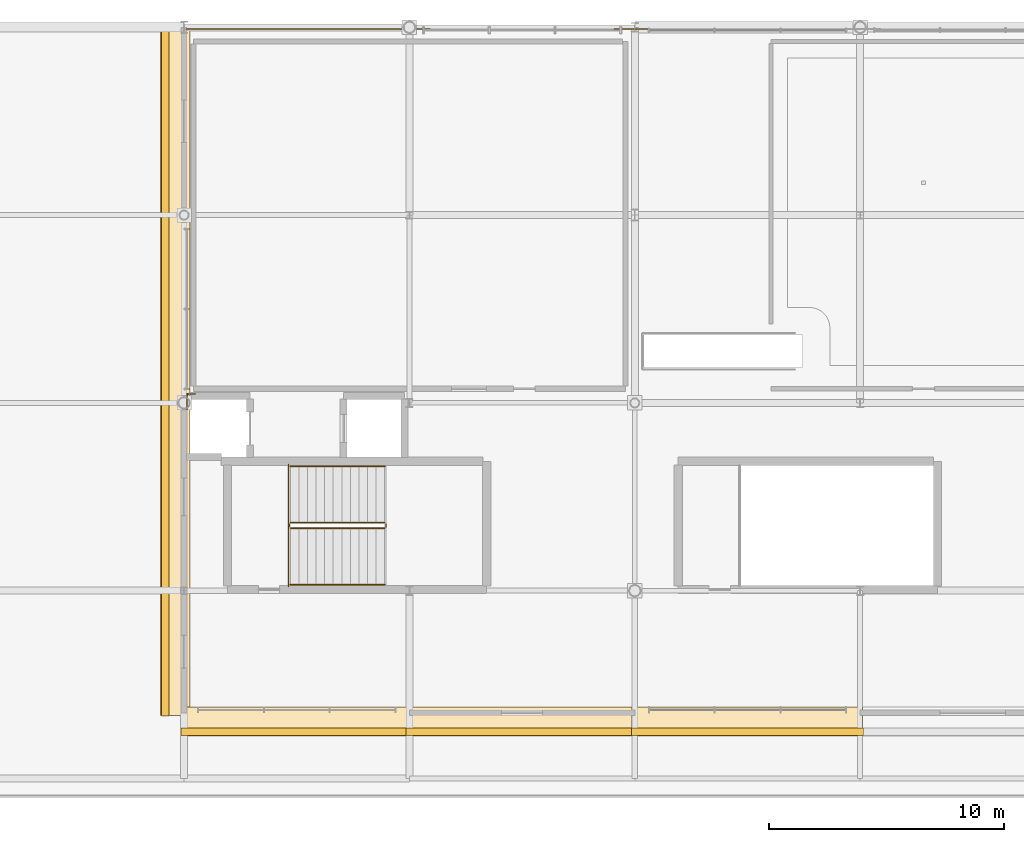
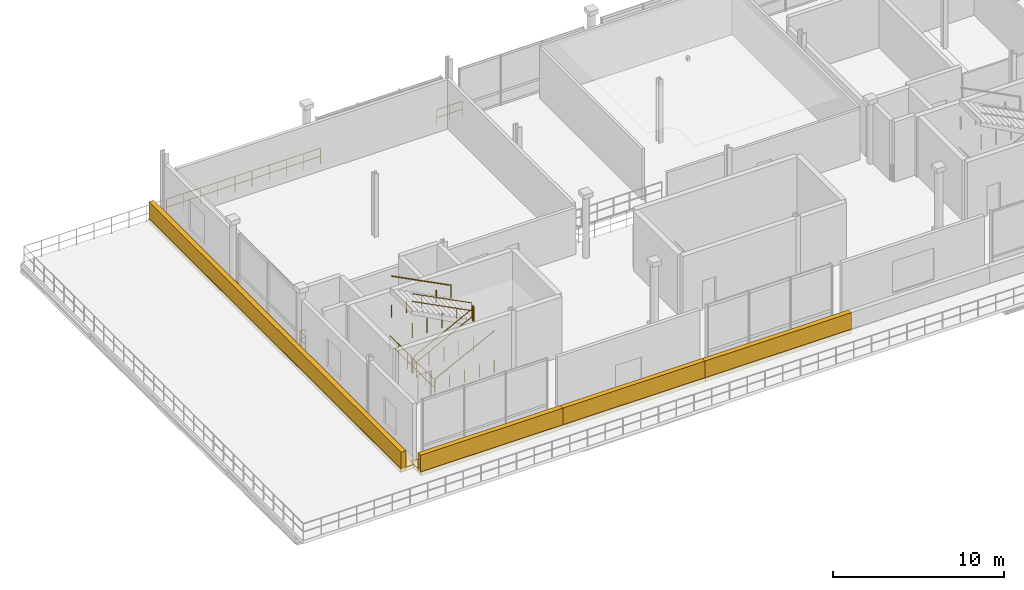
# One storey, part 21 of 26: 10 railings, 8 coverings.
"""IFC4 building model written with IfcOpenShell, lengths in metres."""

from ifc_helpers import new_model, si_unit, direction, frame, origin, origin_2d, place, context, subcontext, project, spatial, rectangle, circle, extrude, material, layer, layer_set, type_object, element, save


model = new_model("IFC4")

# Units and contexts
model_context = context("Model", 3, precision=1e-05, world=origin(), true_north=direction((0.0, 1.0)))
body_context = subcontext(model_context, "Body", "Model", "MODEL_VIEW")
ifc_project = project(units=[si_unit("LENGTHUNIT", "METRE"), si_unit("AREAUNIT", "SQUARE_METRE"), si_unit("VOLUMEUNIT", "CUBIC_METRE"), si_unit("PLANEANGLEUNIT", "RADIAN"), si_unit("MASSUNIT", "GRAM", prefix="KILO")], contexts=[model_context])

# Site, building, storey
site_placement = place(None, origin())
site = spatial("IfcSite", under=ifc_project, at=site_placement, CompositionType="ELEMENT")
building_placement = place(site_placement, origin())
building = spatial("IfcBuilding", under=site, at=building_placement, Name="Danafjord Basin Convention Centre", CompositionType="ELEMENT")
storey_placement = place(building_placement, frame((0.0, 0.0, 24.89990234375)))
storey = spatial("IfcBuildingStorey", under=building, at=storey_placement, Name="L05", CompositionType="ELEMENT", Elevation=24.89990234375)

# Coverings
ifc_material_1 = material(Name="Architectural white precast concrete C45/55", Category="concrete")
ifc_layer = layer(ifc_material_1, 0.320068359375)
ifc_layer_set = layer_set([ifc_layer], Name="Architectural white precast concrete C45/55")
covering_type = type_object("IfcCoveringType", Name="COV-BAND-HORIZ", PredefinedType="CLADDING", material=ifc_layer_set)
covering_1_placement = place(storey_placement, frame((14.39990234375, 10.425048828125, -0.27978515625), z_axis=(0.0, 0.0, 1.0), x_axis=(1.0, 0.0, 0.0)))
element("IfcCovering", 1, at=covering_1_placement, inside=storey, type_object=covering_type, Name="L05 stepped horizontal band soffit plate 49", PredefinedType="CLADDING", context=body_context, shape_type="SweptSolid", body=[
    extrude(rectangle(XDim=9.840087890625, YDim=1.25, at=origin_2d()), origin(), (0.0, 0.0, 1.0), 0.280029296875),
])
covering_2_placement = place(storey_placement, frame((14.39990234375, 9.989990234375, -0.23974609375), z_axis=(0.0, 0.0, 1.0), x_axis=(1.0, 0.0, 0.0)))
element("IfcCovering", 2, at=covering_2_placement, inside=storey, type_object=covering_type, Name="L05 layered horizontal white spandrel band 49", PredefinedType="CLADDING", context=body_context, shape_type="SweptSolid", body=[
    extrude(rectangle(XDim=9.8798828125, YDim=0.320068359375, at=origin_2d()), origin(), (0.0, 0.0, 1.0), 1.419921875),
])
covering_3_placement = place(storey_placement, frame((24.0, 10.425048828125, -0.27978515625), z_axis=(0.0, 0.0, 1.0), x_axis=(1.0, 0.0, 0.0)))
element("IfcCovering", 3, at=covering_3_placement, inside=storey, type_object=covering_type, Name="L05 stepped horizontal band soffit plate 50", PredefinedType="CLADDING", context=body_context, shape_type="SweptSolid", body=[
    extrude(rectangle(XDim=9.840087890625, YDim=1.25, at=origin_2d()), origin(), (0.0, 0.0, 1.0), 0.280029296875),
])
covering_4_placement = place(storey_placement, frame((24.0, 9.989990234375, -0.23974609375), z_axis=(0.0, 0.0, 1.0), x_axis=(1.0, 0.0, 0.0)))
element("IfcCovering", 4, at=covering_4_placement, inside=storey, type_object=covering_type, Name="L05 layered horizontal white spandrel band 50", PredefinedType="CLADDING", context=body_context, shape_type="SweptSolid", body=[
    extrude(rectangle(XDim=9.8798828125, YDim=0.320068359375, at=origin_2d()), origin(), (0.0, 0.0, 1.0), 1.419921875),
])
covering_5_placement = place(storey_placement, frame((33.60009765625, 10.425048828125, -0.27978515625), z_axis=(0.0, 0.0, 1.0), x_axis=(1.0, 0.0, 0.0)))
element("IfcCovering", 5, at=covering_5_placement, inside=storey, type_object=covering_type, Name="L05 stepped horizontal band soffit plate 51", PredefinedType="CLADDING", context=body_context, shape_type="SweptSolid", body=[
    extrude(rectangle(XDim=9.840087890625, YDim=1.25, at=origin_2d()), origin(), (0.0, 0.0, 1.0), 0.280029296875),
])
covering_6_placement = place(storey_placement, frame((33.60009765625, 9.989990234375, -0.23974609375), z_axis=(0.0, 0.0, 1.0), x_axis=(1.0, 0.0, 0.0)))
element("IfcCovering", 6, at=covering_6_placement, inside=storey, type_object=covering_type, Name="L05 layered horizontal white spandrel band 51", PredefinedType="CLADDING", context=body_context, shape_type="SweptSolid", body=[
    extrude(rectangle(XDim=9.8798828125, YDim=0.320068359375, at=origin_2d()), origin(), (0.0, 0.0, 1.0), 1.419921875),
])
covering_7_placement = place(storey_placement, frame((9.22509765625, 25.39990234375, -0.27978515625), z_axis=(0.0, 0.0, 1.0), x_axis=(0.0, -1.0, 0.0)))
element("IfcCovering", 7, at=covering_7_placement, inside=storey, type_object=covering_type, Name="L05 stepped horizontal band soffit plate 58", PredefinedType="CLADDING", context=body_context, shape_type="SweptSolid", body=[
    extrude(rectangle(XDim=29.43994140625, YDim=1.25, at=origin_2d()), origin(), (0.0, 0.0, 1.0), 0.280029296875),
])
covering_8_placement = place(storey_placement, frame((8.7900390625, 25.39990234375, -0.23974609375), z_axis=(0.0, 0.0, 1.0), x_axis=(0.0, -1.0, 0.0)))
element("IfcCovering", 8, at=covering_8_placement, inside=storey, type_object=covering_type, Name="L05 layered horizontal white spandrel band 58", PredefinedType="CLADDING", context=body_context, shape_type="SweptSolid", body=[
    extrude(rectangle(XDim=29.47998046875, YDim=0.320068359375, at=origin_2d()), origin(), (0.0, 0.0, 1.0), 1.419921875),
])

# Railings
ifc_material_2 = material(Name="Laminated structural glass and stainless steel", Category="steel")
railing_type_1 = type_object("IfcRailingType", Name="RL-BAL-GLS", PredefinedType="BALUSTRADE", material=ifc_material_2)
railing_1_placement = place(storey_placement, frame((9.68994140625, 39.919921875, 0.0)))
element("IfcRailing", 9, at=railing_1_placement, inside=storey, type_object=railing_type_1, Name="L05 safety guard balustrade 309", PredefinedType="BALUSTRADE", context=body_context, shape_type="SweptSolid", body=[
    extrude(circle(Radius=0.02392578125, at=origin_2d()), frame((0.0, 0.0, 1.1259765625), z_axis=(1.0, 0.0, 0.0), x_axis=(0.0, 1.0, 0.0)), (0.0, 0.0, 1.0), 10.39013671875),
    extrude(circle(Radius=0.02392578125, at=origin_2d()), frame((0.0, 0.0, 0.55078125), z_axis=(1.0, 0.0, 0.0), x_axis=(0.0, 1.0, 0.0)), (0.0, 0.0, 1.0), 10.39013671875),
    extrude(circle(Radius=0.02099609375, at=origin_2d()), origin(), (0.0, 0.0, 1.0), 1.099853515625),
    extrude(circle(Radius=0.02099609375, at=origin_2d()), frame((1.154541015625, 0.0, 0.0)), (0.0, 0.0, 1.0), 1.099853515625),
    extrude(circle(Radius=0.02099609375, at=origin_2d()), frame((2.308837890625, 0.0, 0.0)), (0.0, 0.0, 1.0), 1.099853515625),
    extrude(circle(Radius=0.02099609375, at=origin_2d()), frame((3.46337890625, 0.0, 0.0)), (0.0, 0.0, 1.0), 1.099853515625),
    extrude(circle(Radius=0.02099609375, at=origin_2d()), frame((4.617919921875, 0.0, 0.0)), (0.0, 0.0, 1.0), 1.099853515625),
    extrude(circle(Radius=0.02099609375, at=origin_2d()), frame((5.772216796875, 0.0, 0.0)), (0.0, 0.0, 1.0), 1.099853515625),
    extrude(circle(Radius=0.02099609375, at=origin_2d()), frame((6.9267578125, 0.0, 0.0)), (0.0, 0.0, 1.0), 1.099853515625),
    extrude(circle(Radius=0.02099609375, at=origin_2d()), frame((8.081298828125, 0.0, 0.0)), (0.0, 0.0, 1.0), 1.099853515625),
    extrude(circle(Radius=0.02099609375, at=origin_2d()), frame((9.235595703125, 0.0, 0.0)), (0.0, 0.0, 1.0), 1.099853515625),
    extrude(circle(Radius=0.02099609375, at=origin_2d()), frame((10.39013671875, 0.0, 0.0)), (0.0, 0.0, 1.0), 1.099853515625),
])
railing_2_placement = place(storey_placement, frame((27.919921875, 39.919921875, 0.0)))
element("IfcRailing", 10, at=railing_2_placement, inside=storey, type_object=railing_type_1, Name="L05 safety guard balustrade 310", PredefinedType="BALUSTRADE", context=body_context, shape_type="SweptSolid", body=[
    extrude(circle(Radius=0.02392578125, at=origin_2d()), frame((0.0, 0.0, 1.1259765625), z_axis=(1.0, 0.0, 0.0), x_axis=(0.0, 1.0, 0.0)), (0.0, 0.0, 1.0), 1.760009765625),
    extrude(circle(Radius=0.02392578125, at=origin_2d()), frame((0.0, 0.0, 0.55078125), z_axis=(1.0, 0.0, 0.0), x_axis=(0.0, 1.0, 0.0)), (0.0, 0.0, 1.0), 1.760009765625),
    extrude(circle(Radius=0.02099609375, at=origin_2d()), origin(), (0.0, 0.0, 1.0), 1.099853515625),
    extrude(circle(Radius=0.02099609375, at=origin_2d()), frame((0.8798828125, 0.0, 0.0)), (0.0, 0.0, 1.0), 1.099853515625),
    extrude(circle(Radius=0.02099609375, at=origin_2d()), frame((1.760009765625, 0.0, 0.0)), (0.0, 0.0, 1.0), 1.099853515625),
])
railing_3_placement = place(storey_placement, frame((14.050048828125, 21.375, 0.0)))
element("IfcRailing", 11, at=railing_3_placement, inside=storey, type_object=railing_type_1, Name="L05 safety guard balustrade 328", PredefinedType="BALUSTRADE", context=body_context, shape_type="SweptSolid", body=[
    extrude(circle(Radius=0.02392578125, at=origin_2d()), frame((0.0, 0.0, 1.1259765625), z_axis=(0.0, -1.0, 0.0), x_axis=(1.0, 0.0, 0.0)), (0.0, 0.0, 1.0), 5.18994140625),
    extrude(circle(Radius=0.02392578125, at=origin_2d()), frame((0.0, 0.0, 0.55078125), z_axis=(0.0, -1.0, 0.0), x_axis=(1.0, 0.0, 0.0)), (0.0, 0.0, 1.0), 5.18994140625),
    extrude(circle(Radius=0.02099609375, at=origin_2d()), origin(), (0.0, 0.0, 1.0), 1.099853515625),
    extrude(circle(Radius=0.02099609375, at=origin_2d()), frame((0.0, -1.0380859375, 0.0)), (0.0, 0.0, 1.0), 1.099853515625),
    extrude(circle(Radius=0.02099609375, at=origin_2d()), frame((0.0, -2.075927734375, 0.0)), (0.0, 0.0, 1.0), 1.099853515625),
    extrude(circle(Radius=0.02099609375, at=origin_2d()), frame((0.0, -3.114013671875, 0.0)), (0.0, 0.0, 1.0), 1.099853515625),
    extrude(circle(Radius=0.02099609375, at=origin_2d()), frame((0.0, -4.15185546875, 0.0)), (0.0, 0.0, 1.0), 1.099853515625),
    extrude(circle(Radius=0.02099609375, at=origin_2d()), frame((0.0, -5.18994140625, 0.0)), (0.0, 0.0, 1.0), 1.099853515625),
])
ifc_material_3 = material(Name="Galvanised and powder-coated steel S355", Category="steel")
railing_type_2 = type_object("IfcRailingType", Name="RL-BAL-STL", PredefinedType="BALUSTRADE", material=ifc_material_3)
railing_4_placement = place(storey_placement, frame((10.080078125, 24.3798828125, 0.0)))
element("IfcRailing", 12, at=railing_4_placement, inside=storey, type_object=railing_type_2, Name="L05 safety guard balustrade 329", PredefinedType="BALUSTRADE", context=body_context, shape_type="SweptSolid", body=[
    extrude(circle(Radius=0.02392578125, at=origin_2d()), frame((0.0, 0.0, 1.1259765625), z_axis=(-1.0, 0.0, 0.0), x_axis=(0.0, -1.0, 0.0)), (0.0, 0.0, 1.0), 0.360107421875),
    extrude(circle(Radius=0.02392578125, at=origin_2d()), frame((0.0, 0.0, 0.55078125), z_axis=(-1.0, 0.0, 0.0), x_axis=(0.0, -1.0, 0.0)), (0.0, 0.0, 1.0), 0.360107421875),
    extrude(circle(Radius=0.02392578125, at=origin_2d()), frame((-0.360107421875, 0.0, 1.1259765625), z_axis=(0.0, -1.0, 0.0), x_axis=(1.0, 0.0, 0.0)), (0.0, 0.0, 1.0), 0.659912109375),
    extrude(circle(Radius=0.02392578125, at=origin_2d()), frame((-0.360107421875, 0.0, 0.55078125), z_axis=(0.0, -1.0, 0.0), x_axis=(1.0, 0.0, 0.0)), (0.0, 0.0, 1.0), 0.659912109375),
    extrude(circle(Radius=0.02099609375, at=origin_2d()), origin(), (0.0, 0.0, 1.0), 1.099853515625),
    extrude(circle(Radius=0.02099609375, at=origin_2d()), frame((-0.360107421875, 0.0, 0.0)), (0.0, 0.0, 1.0), 1.099853515625),
    extrude(circle(Radius=0.02099609375, at=origin_2d()), frame((-0.360107421875, -0.659912109375, 0.0)), (0.0, 0.0, 1.0), 1.099853515625),
])
ifc_material_4 = material(Name="Galvanised steel S355", Category="steel")
railing_type_3 = type_object("IfcRailingType", Name="RL-GD-WELL", PredefinedType="BALUSTRADE", material=ifc_material_4)
railing_5_placement = place(storey_placement, frame((14.1298828125, 18.659912109375, 0.1875)))
element("IfcRailing", 13, at=railing_5_placement, inside=storey, type_object=railing_type_3, Name="L05 ST-01 stair guard 1", PredefinedType="BALUSTRADE", context=body_context, shape_type="SweptSolid", body=[
    extrude(circle(Radius=0.02392578125, at=origin_2d()), frame((0.0, 0.0, 1.076171875), z_axis=(0.889506420944, 0.0, 0.45692267081), x_axis=(0.0, 1.0, 0.0)), (0.0, 0.0, 1.0), 4.513916015625),
    extrude(circle(Radius=0.02392578125, at=origin_2d()), frame((0.0, 0.0, 0.52587890625), z_axis=(0.889506420944, 0.0, 0.45692267081), x_axis=(0.0, 1.0, 0.0)), (0.0, 0.0, 1.0), 4.513916015625),
    extrude(circle(Radius=0.02099609375, at=origin_2d()), origin(), (0.0, 0.0, 1.0), 1.050048828125),
    extrude(circle(Radius=0.02099609375, at=origin_2d()), frame((1.00390625, 0.0, 0.0)), (0.0, 0.0, 1.0), 1.050048828125),
    extrude(circle(Radius=0.02099609375, at=origin_2d()), frame((2.007568359375, 0.0, 0.0)), (0.0, 0.0, 1.0), 1.050048828125),
    extrude(circle(Radius=0.02099609375, at=origin_2d()), frame((3.01123046875, 0.0, 0.0)), (0.0, 0.0, 1.0), 1.050048828125),
    extrude(circle(Radius=0.02099609375, at=origin_2d()), frame((4.01513671875, 0.0, 0.0)), (0.0, 0.0, 1.0), 1.050048828125),
])
railing_6_placement = place(storey_placement, frame((18.195068359375, 18.7099609375, 2.25)))
element("IfcRailing", 14, at=railing_6_placement, inside=storey, type_object=railing_type_3, Name="L05 ST-01 stair guard 2", PredefinedType="BALUSTRADE", context=body_context, shape_type="SweptSolid", body=[
    extrude(circle(Radius=0.02392578125, at=origin_2d()), frame((0.0, 0.0, 1.076171875), z_axis=(0.0, 1.0, 0.0), x_axis=(-1.0, 0.0, 0.0)), (0.0, 0.0, 1.0), 0.14013671875),
    extrude(circle(Radius=0.02392578125, at=origin_2d()), frame((0.0, 0.0, 0.52587890625), z_axis=(0.0, 1.0, 0.0), x_axis=(-1.0, 0.0, 0.0)), (0.0, 0.0, 1.0), 0.14013671875),
    extrude(circle(Radius=0.02099609375, at=origin_2d()), origin(), (0.0, 0.0, 1.0), 1.050048828125),
    extrude(circle(Radius=0.02099609375, at=origin_2d()), frame((0.0, 0.14013671875, 0.0)), (0.0, 0.0, 1.0), 1.050048828125),
])
railing_7_placement = place(storey_placement, frame((18.14501953125, 18.89990234375, 2.4375)))
element("IfcRailing", 15, at=railing_7_placement, inside=storey, type_object=railing_type_3, Name="L05 ST-01 stair guard 3", PredefinedType="BALUSTRADE", context=body_context, shape_type="SweptSolid", body=[
    extrude(circle(Radius=0.02392578125, at=origin_2d()), frame((0.0, 0.0, 1.076171875), z_axis=(-0.889506420944, 0.0, 0.45692267081), x_axis=(0.0, -1.0, 0.0)), (0.0, 0.0, 1.0), 4.513916015625),
    extrude(circle(Radius=0.02392578125, at=origin_2d()), frame((0.0, 0.0, 0.52587890625), z_axis=(-0.889506420944, 0.0, 0.45692267081), x_axis=(0.0, -1.0, 0.0)), (0.0, 0.0, 1.0), 4.513916015625),
    extrude(circle(Radius=0.02099609375, at=origin_2d()), origin(), (0.0, 0.0, 1.0), 1.050048828125),
    extrude(circle(Radius=0.02099609375, at=origin_2d()), frame((-1.00390625, 0.0, 0.0)), (0.0, 0.0, 1.0), 1.050048828125),
    extrude(circle(Radius=0.02099609375, at=origin_2d()), frame((-2.007568359375, 0.0, 0.0)), (0.0, 0.0, 1.0), 1.050048828125),
    extrude(circle(Radius=0.02099609375, at=origin_2d()), frame((-3.01123046875, 0.0, 0.0)), (0.0, 0.0, 1.0), 1.050048828125),
    extrude(circle(Radius=0.02099609375, at=origin_2d()), frame((-4.01513671875, 0.0, 0.0)), (0.0, 0.0, 1.0), 1.050048828125),
])
railing_8_placement = place(storey_placement, frame((14.080078125, 18.7099609375, 0.0)))
element("IfcRailing", 16, at=railing_8_placement, inside=storey, type_object=railing_type_3, Name="L05 ST-01 stair guard 4", PredefinedType="BALUSTRADE", context=body_context, shape_type="SweptSolid", body=[
    extrude(circle(Radius=0.02392578125, at=origin_2d()), frame((0.0, 0.0, 1.076171875), z_axis=(0.0, 1.0, 0.0), x_axis=(-1.0, 0.0, 0.0)), (0.0, 0.0, 1.0), 0.14013671875),
    extrude(circle(Radius=0.02392578125, at=origin_2d()), frame((0.0, 0.0, 0.52587890625), z_axis=(0.0, 1.0, 0.0), x_axis=(-1.0, 0.0, 0.0)), (0.0, 0.0, 1.0), 0.14013671875),
    extrude(circle(Radius=0.02099609375, at=origin_2d()), origin(), (0.0, 0.0, 1.0), 1.050048828125),
    extrude(circle(Radius=0.02099609375, at=origin_2d()), frame((0.0, 0.14013671875, 0.0)), (0.0, 0.0, 1.0), 1.050048828125),
])
ifc_material_5 = material(Name="Brushed stainless steel EN 1.4404", Category="steel")
railing_type_4 = type_object("IfcRailingType", Name="RL-HR-STAIR", PredefinedType="HANDRAIL", material=ifc_material_5)
railing_9_placement = place(storey_placement, frame((14.1298828125, 16.260009765625, 0.1875)))
element("IfcRailing", 17, at=railing_9_placement, inside=storey, type_object=railing_type_4, Name="L05 ST-01 stair handrail 1", PredefinedType="HANDRAIL", context=body_context, shape_type="SweptSolid", body=[
    extrude(circle(Radius=0.02392578125, at=origin_2d()), frame((0.0, 0.0, 0.8759765625), z_axis=(0.889506420944, 0.0, 0.45692267081), x_axis=(0.0, 1.0, 0.0)), (0.0, 0.0, 1.0), 4.513916015625),
    extrude(circle(Radius=0.02099609375, at=origin_2d()), origin(), (0.0, 0.0, 1.0), 0.849853515625),
    extrude(circle(Radius=0.02099609375, at=origin_2d()), frame((1.00390625, 0.0, 0.0)), (0.0, 0.0, 1.0), 0.849853515625),
    extrude(circle(Radius=0.02099609375, at=origin_2d()), frame((2.007568359375, 0.0, 0.0)), (0.0, 0.0, 1.0), 0.849853515625),
    extrude(circle(Radius=0.02099609375, at=origin_2d()), frame((3.01123046875, 0.0, 0.0)), (0.0, 0.0, 1.0), 0.849853515625),
    extrude(circle(Radius=0.02099609375, at=origin_2d()), frame((4.01513671875, 0.0, 0.0)), (0.0, 0.0, 1.0), 0.849853515625),
])
railing_10_placement = place(storey_placement, frame((18.14501953125, 21.300048828125, 2.4375)))
element("IfcRailing", 18, at=railing_10_placement, inside=storey, type_object=railing_type_4, Name="L05 ST-01 stair handrail 2", PredefinedType="HANDRAIL", context=body_context, shape_type="SweptSolid", body=[
    extrude(circle(Radius=0.02392578125, at=origin_2d()), frame((0.0, 0.0, 0.8759765625), z_axis=(-0.889506420944, 0.0, 0.45692267081), x_axis=(0.0, -1.0, 0.0)), (0.0, 0.0, 1.0), 4.513916015625),
    extrude(circle(Radius=0.02099609375, at=origin_2d()), origin(), (0.0, 0.0, 1.0), 0.849853515625),
    extrude(circle(Radius=0.02099609375, at=origin_2d()), frame((-1.00390625, 0.0, 0.0)), (0.0, 0.0, 1.0), 0.849853515625),
    extrude(circle(Radius=0.02099609375, at=origin_2d()), frame((-2.007568359375, 0.0, 0.0)), (0.0, 0.0, 1.0), 0.849853515625),
    extrude(circle(Radius=0.02099609375, at=origin_2d()), frame((-3.01123046875, 0.0, 0.0)), (0.0, 0.0, 1.0), 0.849853515625),
    extrude(circle(Radius=0.02099609375, at=origin_2d()), frame((-4.01513671875, 0.0, 0.0)), (0.0, 0.0, 1.0), 0.849853515625),
])

save(model, "model.ifc")
